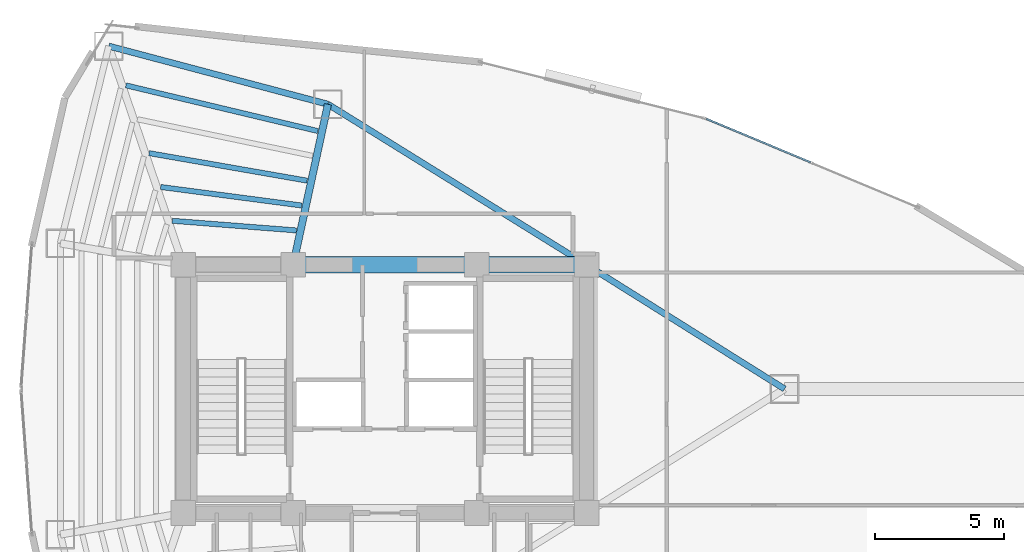
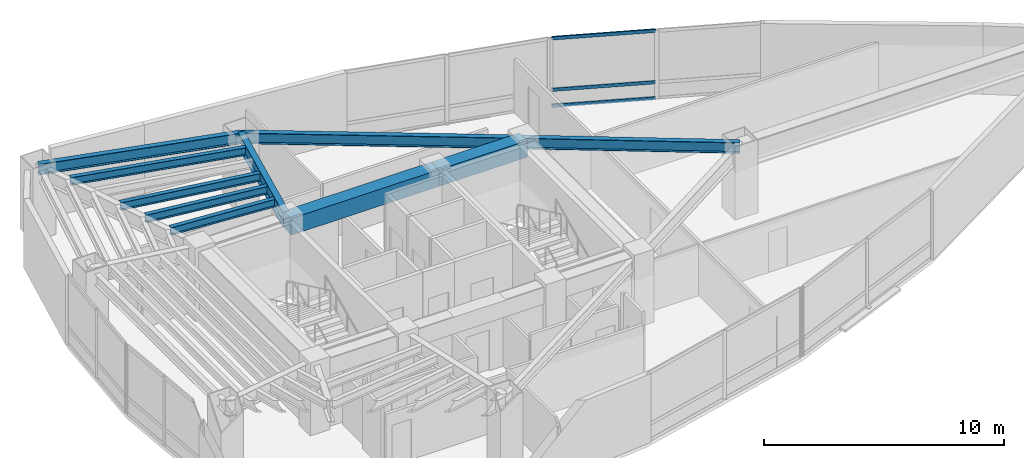
# One storey, part 8 of 17: 10 beams, 3 members, 1 element without a shape of its own.
"""IFC4 building model written with IfcOpenShell, lengths in metres."""

from ifc_helpers import new_model, si_unit, direction, frame, origin, origin_2d, place, context, subcontext, project, spatial, rectangle, hollow_rectangle, i_section, extrude, material, layer, layer_set, material_profile, profile_set, type_object, element, aggregate, save


model = new_model("IFC4")

# Units and contexts
model_context = context("Model", 3, precision=1e-05, world=origin(), true_north=direction((0.0, 1.0)))
body_context = subcontext(model_context, "Body", "Model", "MODEL_VIEW")
ifc_project = project(units=[si_unit("LENGTHUNIT", "METRE"), si_unit("AREAUNIT", "SQUARE_METRE"), si_unit("VOLUMEUNIT", "CUBIC_METRE"), si_unit("PLANEANGLEUNIT", "RADIAN"), si_unit("MASSUNIT", "GRAM", prefix="KILO")], contexts=[model_context])

# Site, building, storey
site_placement = place(None, origin())
site = spatial("IfcSite", under=ifc_project, at=site_placement, CompositionType="ELEMENT")
building_placement = place(site_placement, origin())
building = spatial("IfcBuilding", under=site, at=building_placement, Name="Menara Vayukalpa", CompositionType="ELEMENT")
storey_placement = place(building_placement, frame((0.0, 0.0, 154.320068359375)))
storey = spatial("IfcBuildingStorey", under=building, at=storey_placement, Name="L38", CompositionType="ELEMENT", Elevation=154.320068359375)

# Beams
ifc_material_1 = material(Name="Concrete C60/75", Category="concrete")
ifc_material_profile_1 = material_profile(ifc_material_1, rectangle(XDim=0.64990234375, YDim=0.85009765625, at=origin_2d()), Name="RC 650x850")
ifc_profile_set_1 = profile_set([ifc_material_profile_1], Name="Concrete C60/75")
beam_type_1 = type_object("IfcBeamType", Name="BM-CB1", PredefinedType="BEAM", material=ifc_profile_set_1)
beam_1_placement = place(storey_placement, frame((22.050048828125, 26.800048828125, 3.074951171875), z_axis=(1.0, 0.0, 0.0), x_axis=(0.0, 1.0, 0.0)))
element("IfcBeam", 1, at=beam_1_placement, inside=storey, type_object=beam_type_1, Name="L38 Core Tie Beam CBR5", PredefinedType="BEAM", context=body_context, shape_type="SweptSolid", body=[
    extrude(rectangle(XDim=0.64990234375, YDim=0.85009765625, at=origin_2d()), origin(), (0.0, 0.0, 1.0), 7.099853515625),
])
beam_2_placement = place(storey_placement, frame((29.14990234375, 26.800048828125, 3.074951171875), z_axis=(1.0, 0.0, 0.0), x_axis=(0.0, 1.0, 0.0)))
element("IfcBeam", 2, at=beam_2_placement, inside=storey, type_object=beam_type_1, Name="L38 Core Tie Beam CBR6", PredefinedType="BEAM", context=body_context, shape_type="SweptSolid", body=[
    extrude(rectangle(XDim=0.64990234375, YDim=0.85009765625, at=origin_2d()), origin(), (0.0, 0.0, 1.0), 4.25),
])
ifc_material_2 = material(Name="Steel S355", Category="steel")
ifc_material_profile_2 = material_profile(ifc_material_2, i_section(OverallWidth=0.280029296875, OverallDepth=0.75, WebThickness=0.013916015625, FlangeThickness=0.02490234375, at=origin_2d()), Name="WF 750x280x14x25")
ifc_profile_set_2 = profile_set([ifc_material_profile_2], Name="Steel S355")
beam_type_2 = type_object("IfcBeamType", Name="BM-PG4", PredefinedType="BEAM", material=ifc_profile_set_2)
beam_3_placement = place(storey_placement, frame((22.10302734375, 27.044189453125, 3.125), z_axis=(0.211898459532, 0.9772916877, 0.0), x_axis=(-0.9772916877, 0.211898459532, 0.0)))
element("IfcBeam", 3, at=beam_3_placement, inside=storey, type_object=beam_type_2, Name="L38 Primary Radial Girder RG03", PredefinedType="BEAM", context=body_context, shape_type="SweptSolid", body=[
    extrude(i_section(OverallWidth=0.280029296875, OverallDepth=0.75, WebThickness=0.013916015625, FlangeThickness=0.02490234375, at=origin_2d()), origin(), (0.0, 0.0, 1.0), 6.1064453125),
])
ifc_material_3 = material(Name="Steel S355", Category="steel")
ifc_material_profile_3 = material_profile(ifc_material_3, i_section(OverallWidth=0.199951171875, OverallDepth=0.39990234375, WebThickness=0.008056640625, FlangeThickness=0.012939453125, at=origin_2d()), Name="WF 400x200x8x13")
ifc_profile_set_3 = profile_set([ifc_material_profile_3], Name="Steel S355")
beam_type_3 = type_object("IfcBeamType", Name="BM-SJ2", PredefinedType="JOIST", material=ifc_profile_set_3)
beam_4_placement = place(storey_placement, frame((22.176513671875, 28.130859375, 3.300048828125), z_axis=(-0.996983386276, 0.077615252944, 0.0), x_axis=(-0.077615252944, -0.996983386276, 0.0)))
element("IfcBeam", 4, at=beam_4_placement, inside=storey, type_object=beam_type_3, Name="L38 Secondary Floor Joist SJ03-1", PredefinedType="JOIST", context=body_context, shape_type="SweptSolid", body=[
    extrude(i_section(OverallWidth=0.199951171875, OverallDepth=0.39990234375, WebThickness=0.008056640625, FlangeThickness=0.012939453125, at=origin_2d()), origin(), (0.0, 0.0, 1.0), 4.81591796875),
])
beam_5_placement = place(storey_placement, frame((22.38427734375, 29.09423828125, 3.300048828125), z_axis=(-0.991462596105, 0.130391412773, 0.0), x_axis=(-0.130391412773, -0.991462596105, 0.0)))
element("IfcBeam", 5, at=beam_5_placement, inside=storey, type_object=beam_type_3, Name="L38 Secondary Floor Joist SJ03-2", PredefinedType="JOIST", context=body_context, shape_type="SweptSolid", body=[
    extrude(i_section(OverallWidth=0.199951171875, OverallDepth=0.39990234375, WebThickness=0.008056640625, FlangeThickness=0.012939453125, at=origin_2d()), origin(), (0.0, 0.0, 1.0), 5.504638671875),
])
beam_6_placement = place(storey_placement, frame((22.59228515625, 30.0556640625, 3.300048828125), z_axis=(-0.985157431798, 0.171653239334, 0.0), x_axis=(-0.171653239334, -0.985157431798, 0.0)))
element("IfcBeam", 6, at=beam_6_placement, inside=storey, type_object=beam_type_3, Name="L38 Secondary Floor Joist SJ03-3", PredefinedType="JOIST", context=body_context, shape_type="SweptSolid", body=[
    extrude(i_section(OverallWidth=0.199951171875, OverallDepth=0.39990234375, WebThickness=0.008056640625, FlangeThickness=0.012939453125, at=origin_2d()), origin(), (0.0, 0.0, 1.0), 6.206787109375),
])
beam_7_placement = place(storey_placement, frame((23.00830078125, 31.974853515625, 3.300048828125), z_axis=(-0.972815476519, 0.231581624151, 0.0), x_axis=(-0.231581624151, -0.972815476519, 0.0)))
element("IfcBeam", 7, at=beam_7_placement, inside=storey, type_object=beam_type_3, Name="L38 Secondary Floor Joist SJ03-5", PredefinedType="JOIST", context=body_context, shape_type="SweptSolid", body=[
    extrude(i_section(OverallWidth=0.199951171875, OverallDepth=0.39990234375, WebThickness=0.008056640625, FlangeThickness=0.012939453125, at=origin_2d()), origin(), (0.0, 0.0, 1.0), 7.6357421875),
])
ifc_material_4 = material(Name="Steel S355", Category="steel")
ifc_material_profile_4 = material_profile(ifc_material_4, i_section(OverallWidth=0.239990234375, OverallDepth=0.550048828125, WebThickness=0.010986328125, FlangeThickness=0.01904296875, at=origin_2d()), Name="WF 550x240x11x19")
ifc_profile_set_4 = profile_set([ifc_material_profile_4], Name="Steel S355")
beam_type_4 = type_object("IfcBeamType", Name="BM-SP2", PredefinedType="SPANDREL", material=ifc_profile_set_4)
beam_8_placement = place(storey_placement, frame((41.05908203125, 22.0, 3.224853515625), z_axis=(-0.847348220701, 0.531037656739, 0.0), x_axis=(-0.531037656739, -0.847348220701, 0.0)))
element("IfcBeam", 8, at=beam_8_placement, inside=storey, type_object=beam_type_4, Name="L38 Perimeter Spandrel Beam SP01", PredefinedType="SPANDREL", context=body_context, shape_type="SweptSolid", body=[
    extrude(i_section(OverallWidth=0.239990234375, OverallDepth=0.550048828125, WebThickness=0.010986328125, FlangeThickness=0.01904296875, at=origin_2d()), origin(), (0.0, 0.0, 1.0), 9.0390625),
])
beam_9_placement = place(storey_placement, frame((33.39990234375, 26.800048828125, 3.224853515625), z_axis=(-0.849518408464, 0.527558976495, 0.0), x_axis=(-0.527558976495, -0.849518408464, 0.0)))
element("IfcBeam", 9, at=beam_9_placement, inside=storey, type_object=beam_type_4, Name="L38 Perimeter Spandrel Beam SP02", PredefinedType="SPANDREL", context=body_context, shape_type="SweptSolid", body=[
    extrude(i_section(OverallWidth=0.239990234375, OverallDepth=0.550048828125, WebThickness=0.010986328125, FlangeThickness=0.01904296875, at=origin_2d()), origin(), (0.0, 0.0, 1.0), 11.77490234375),
])
beam_10_placement = place(storey_placement, frame((23.39697265625, 33.011962890625, 3.224853515625), z_axis=(-0.96657141455, 0.256397544009, 0.0), x_axis=(-0.256397544009, -0.96657141455, 0.0)))
element("IfcBeam", 10, at=beam_10_placement, inside=storey, type_object=beam_type_4, Name="L38 Perimeter Spandrel Beam SP03", PredefinedType="SPANDREL", context=body_context, shape_type="SweptSolid", body=[
    extrude(i_section(OverallWidth=0.239990234375, OverallDepth=0.550048828125, WebThickness=0.010986328125, FlangeThickness=0.01904296875, at=origin_2d()), origin(), (0.0, 0.0, 1.0), 8.769775390625),
])

# Curtain wall, members
ifc_material_5 = material(Name="Anodised Terracotta Aluminium Alloy 6063-T6", Category="masonry")
ifc_layer = layer(ifc_material_5, 0.179931640625)
ifc_layer_set = layer_set([ifc_layer], Name="Anodised Terracotta Aluminium Alloy 6063-T6")
curtain_wall_type = type_object("IfcCurtainWallType", Name="CW-CW4", PredefinedType="USERDEFINED", material=ifc_layer_set)
curtain_wall_placement = place(storey_placement, origin())
curtain_wall = element("IfcCurtainWall", 11, at=curtain_wall_placement, inside=storey, type_object=curtain_wall_type, Name="L38 Sky Bar Cantilever Glazed Curtain Wall CW4 04", ObjectType="UNITISED", PredefinedType="USERDEFINED")
ifc_material_6 = material(Name="Anodised Terracotta Aluminium Alloy 6063-T6", Category="masonry")
ifc_material_profile_5 = material_profile(ifc_material_6, hollow_rectangle(XDim=0.070068359375, YDim=0.1650390625, WallThickness=0.00390625, at=origin_2d()), Name="ALU 70x165x4")
ifc_profile_set_5 = profile_set([ifc_material_profile_5], Name="Anodised Terracotta Aluminium Alloy 6063-T6")
member_type = type_object("IfcMemberType", Name="CWT-CW4", PredefinedType="USERDEFINED", material=ifc_profile_set_5)
member_1_placement = place(storey_placement, frame((42.063720703125, 30.765869140625, 0.034912109375), z_axis=(-0.922868513183, 0.385115187152, 0.0), x_axis=(-0.385115187152, -0.922868513183, 0.0)))
member_1 = element("IfcMember", 12, at=member_1_placement, type_object=member_type, Name="CW4 transom 2.1", ObjectType="TRANSOM", PredefinedType="USERDEFINED", context=body_context, shape_type="SweptSolid", body=[
    extrude(hollow_rectangle(XDim=0.070068359375, YDim=0.1650390625, WallThickness=0.00390625, at=origin_2d()), origin(), (0.0, 0.0, 1.0), 4.369873046875),
])
member_2_placement = place(storey_placement, frame((42.063720703125, 30.765869140625, 0.849853515625), z_axis=(-0.922868513183, 0.385115187152, 0.0), x_axis=(-0.385115187152, -0.922868513183, 0.0)))
member_2 = element("IfcMember", 13, at=member_2_placement, type_object=member_type, Name="CW4 transom 2.2", ObjectType="TRANSOM", PredefinedType="USERDEFINED", context=body_context, shape_type="SweptSolid", body=[
    extrude(hollow_rectangle(XDim=0.070068359375, YDim=0.1650390625, WallThickness=0.00390625, at=origin_2d()), origin(), (0.0, 0.0, 1.0), 4.369873046875),
])
member_3_placement = place(storey_placement, frame((42.063720703125, 30.765869140625, 3.46484375), z_axis=(-0.922868513183, 0.385115187152, 0.0), x_axis=(-0.385115187152, -0.922868513183, 0.0)))
member_3 = element("IfcMember", 14, at=member_3_placement, type_object=member_type, Name="CW4 transom 2.3", ObjectType="TRANSOM", PredefinedType="USERDEFINED", context=body_context, shape_type="SweptSolid", body=[
    extrude(hollow_rectangle(XDim=0.070068359375, YDim=0.1650390625, WallThickness=0.00390625, at=origin_2d()), origin(), (0.0, 0.0, 1.0), 4.369873046875),
])
aggregate(curtain_wall, [member_1, member_2, member_3])

save(model, "model.ifc")
